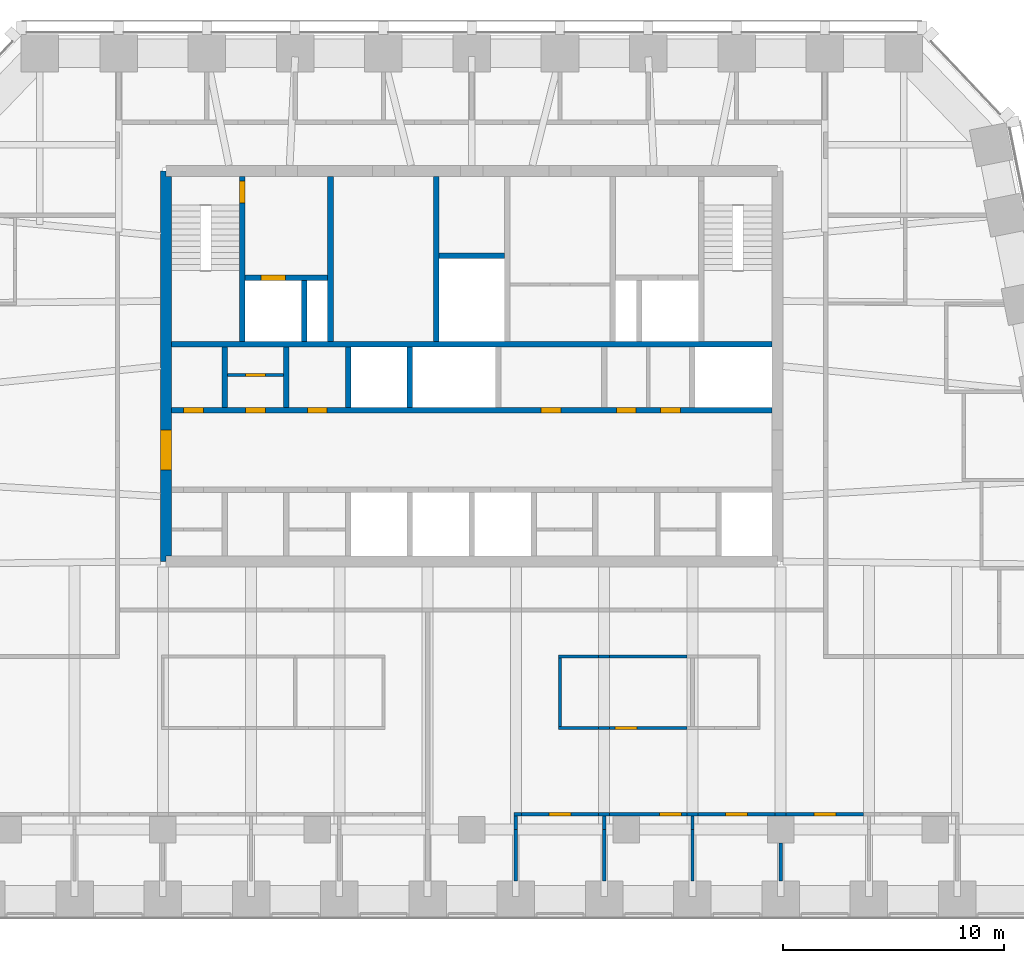
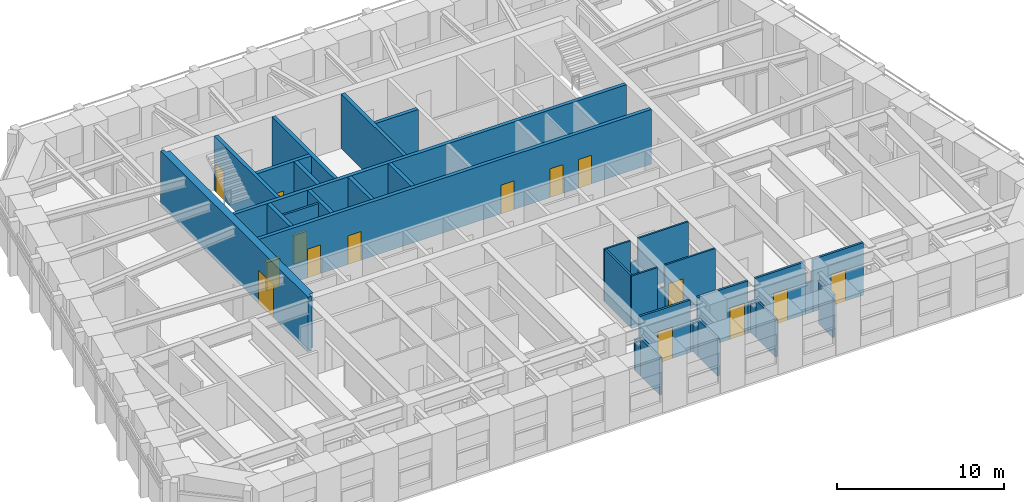
# One storey, part 7 of 13: 36 walls, 15 doors, 15 openings.
"""IFC4 building model written with IfcOpenShell, lengths in metres."""

from ifc_helpers import new_model, si_unit, direction, frame, frame_2d, origin, place, context, subcontext, project, spatial, polyline, rectangle, outline, extrude, material, layer, layer_set, type_object, element, fill, save


model = new_model("IFC4")

# Units and contexts
model_context = context("Model", 3, precision=1e-05, world=origin(), true_north=direction((0.0, 1.0)))
body_context = subcontext(model_context, "Body", "Model", "MODEL_VIEW")
ifc_project = project(units=[si_unit("LENGTHUNIT", "METRE"), si_unit("AREAUNIT", "SQUARE_METRE"), si_unit("VOLUMEUNIT", "CUBIC_METRE"), si_unit("PLANEANGLEUNIT", "RADIAN"), si_unit("MASSUNIT", "GRAM", prefix="KILO")], contexts=[model_context])

# Site, building, storey
site_placement = place(None, origin())
site = spatial("IfcSite", under=ifc_project, at=site_placement, CompositionType="ELEMENT")
building_placement = place(site_placement, origin())
building = spatial("IfcBuilding", under=site, at=building_placement, Name="Isbrekke Arena Tower", CompositionType="ELEMENT")
storey_placement = place(building_placement, frame((0.0, 0.0, 280.0)))
storey = spatial("IfcBuildingStorey", under=building, at=storey_placement, Name="L65", CompositionType="ELEMENT", Elevation=280.0)

# Wall, opening, door
ifc_material_1 = material(Name="Concrete B55 (C55/67)", Category="concrete")
ifc_layer_1 = layer(ifc_material_1, 0.5)
ifc_layer_set_1 = layer_set([ifc_layer_1], Name="CW5 CORE WALL 500")
wall_type_1 = type_object("IfcWallType", Name="CW5 CORE WALL 500", PredefinedType="SHEAR", material=ifc_layer_set_1)
wall_1_placement = place(storey_placement, frame((-13.85009765625, 23.85009765625, 0.0), z_axis=(0.0, 0.0, 1.0), x_axis=(0.0, -1.0, 0.0)))
wall_1 = element("IfcWall", 1, at=wall_1_placement, inside=storey, type_object=wall_type_1, Name="Core wall W L65", PredefinedType="SHEAR", context=body_context, shape_type="SweptSolid", body=[
    extrude(outline(polyline([(0.0, -0.25), (17.7001953125, -0.25), (17.7001953125, 0.0), (17.4501953125, 0.0), (17.4501953125, 0.25), (0.25, 0.25), (0.25, 0.0), (0.0, 0.0), (0.0, -0.25)])), origin(), (0.0, 0.0, 1.0), 4.0),
])
opening_1_placement = place(wall_1_placement, frame((11.75, 0.0, 0.0)))
opening_1 = element("IfcOpeningElement", 2, at=opening_1_placement, cuts=wall_1, Name="Opening D1", PredefinedType="OPENING", context=body_context, shape_type="SweptSolid", body=[
    extrude(rectangle(XDim=1.800048828125, YDim=2.39990234375, at=frame_2d((0.89990234375, 1.199951171875))), frame((0.0, 0.264892578125, 0.0), z_axis=(0.0, -1.0, 0.0), x_axis=(1.0, 0.0, 0.0)), (0.0, 0.0, 1.0), 0.52978515625),
])
ifc_material_2 = material(Name="Steel-framed glazed fire door", Category="steel")
door_type_1 = type_object("IfcDoorType", Name="D1 CORE LOBBY DOOR 1800 x 2400", OperationType="DOUBLE_DOOR_SINGLE_SWING", PredefinedType="DOOR", material=ifc_material_2)
door_1_placement = place(opening_1_placement, origin())
door_1 = element("IfcDoor", 3, at=door_1_placement, inside=storey, type_object=door_type_1, Name="D1 lift lobby door west L65", OperationType="DOUBLE_DOOR_SINGLE_SWING", OverallHeight=2.39990234375, OverallWidth=1.800048828125, PredefinedType="DOOR", context=body_context, shape_type="SweptSolid", body=[
    extrude(rectangle(XDim=1.800048828125, YDim=2.39990234375, at=frame_2d((0.89990234375, 1.199951171875))), frame((0.0, 0.249755859375, 0.0), z_axis=(0.0, -1.0, 0.0), x_axis=(1.0, 0.0, 0.0)), (0.0, 0.0, 1.0), 0.49951171875),
])
fill(opening_1, door_1)

# Wall, openings, doors
ifc_material_3 = material(Name="Concrete B45 (C45/55)", Category="concrete")
ifc_layer_2 = layer(ifc_material_3, 0.25)
ifc_layer_set_2 = layer_set([ifc_layer_2], Name="CW6 SHAFT WALL 250")
wall_type_2 = type_object("IfcWallType", Name="CW6 SHAFT WALL 250", PredefinedType="SHEAR", material=ifc_layer_set_2)
wall_2_placement = place(storey_placement, frame((-13.60009765625, 13.0, 0.0), z_axis=(0.0, 0.0, 1.0), x_axis=(1.0, 0.0, 0.0)))
wall_2 = element("IfcWall", 4, at=wall_2_placement, inside=storey, type_object=wall_type_2, Name="Core wall LN L65", PredefinedType="SHEAR", context=body_context, shape_type="SweptSolid", body=[
    extrude(rectangle(XDim=27.2001953125, YDim=0.25, at=frame_2d((13.60009765625, 0.0))), origin(), (0.0, 0.0, 1.0), 4.0),
])
opening_2_placement = place(wall_2_placement, frame((16.75, 0.0, 0.0)))
opening_2 = element("IfcOpeningElement", 5, at=opening_2_placement, cuts=wall_2, Name="Opening D5", PredefinedType="OPENING", context=body_context, shape_type="SweptSolid", body=[
    extrude(rectangle(XDim=0.89990234375, YDim=2.10009765625, at=frame_2d((0.449951171875, 1.050048828125))), frame((0.0, 0.139892578125, 0.0), z_axis=(0.0, -1.0, 0.0), x_axis=(1.0, 0.0, 0.0)), (0.0, 0.0, 1.0), 0.27978515625),
])
opening_3_placement = place(wall_2_placement, frame((20.14990234375, 0.0, 0.0)))
opening_3 = element("IfcOpeningElement", 6, at=opening_3_placement, cuts=wall_2, Name="Opening D5", PredefinedType="OPENING", context=body_context, shape_type="SweptSolid", body=[
    extrude(rectangle(XDim=0.89990234375, YDim=2.10009765625, at=frame_2d((0.449951171875, 1.050048828125))), frame((0.0, 0.139892578125, 0.0), z_axis=(0.0, -1.0, 0.0), x_axis=(1.0, 0.0, 0.0)), (0.0, 0.0, 1.0), 0.27978515625),
])
opening_4_placement = place(wall_2_placement, frame((22.14990234375, 0.0, 0.0)))
opening_4 = element("IfcOpeningElement", 7, at=opening_4_placement, cuts=wall_2, Name="Opening D5", PredefinedType="OPENING", context=body_context, shape_type="SweptSolid", body=[
    extrude(rectangle(XDim=0.89990234375, YDim=2.10009765625, at=frame_2d((0.449951171875, 1.050048828125))), frame((0.0, 0.139892578125, 0.0), z_axis=(0.0, -1.0, 0.0), x_axis=(1.0, 0.0, 0.0)), (0.0, 0.0, 1.0), 0.27978515625),
])
opening_5_placement = place(wall_2_placement, frame((0.550048828125, 0.0, 0.0)))
opening_5 = element("IfcOpeningElement", 8, at=opening_5_placement, cuts=wall_2, Name="Opening D5", PredefinedType="OPENING", context=body_context, shape_type="SweptSolid", body=[
    extrude(rectangle(XDim=0.89990234375, YDim=2.10009765625, at=frame_2d((0.449951171875, 1.050048828125))), frame((0.0, 0.139892578125, 0.0), z_axis=(0.0, -1.0, 0.0), x_axis=(1.0, 0.0, 0.0)), (0.0, 0.0, 1.0), 0.27978515625),
])
opening_6_placement = place(wall_2_placement, frame((3.35009765625, 0.0, 0.0)))
opening_6 = element("IfcOpeningElement", 9, at=opening_6_placement, cuts=wall_2, Name="Opening D5", PredefinedType="OPENING", context=body_context, shape_type="SweptSolid", body=[
    extrude(rectangle(XDim=0.89990234375, YDim=2.10009765625, at=frame_2d((0.449951171875, 1.050048828125))), frame((0.0, 0.139892578125, 0.0), z_axis=(0.0, -1.0, 0.0), x_axis=(1.0, 0.0, 0.0)), (0.0, 0.0, 1.0), 0.27978515625),
])
opening_7_placement = place(wall_2_placement, frame((6.14990234375, 0.0, 0.0)))
opening_7 = element("IfcOpeningElement", 10, at=opening_7_placement, cuts=wall_2, Name="Opening D5", PredefinedType="OPENING", context=body_context, shape_type="SweptSolid", body=[
    extrude(rectangle(XDim=0.89990234375, YDim=2.10009765625, at=frame_2d((0.449951171875, 1.050048828125))), frame((0.0, 0.139892578125, 0.0), z_axis=(0.0, -1.0, 0.0), x_axis=(1.0, 0.0, 0.0)), (0.0, 0.0, 1.0), 0.27978515625),
])
ifc_material_4 = material(Name="Steel fire door", Category="steel")
door_type_2 = type_object("IfcDoorType", Name="D5 SERVICE DOOR 900 x 2100", OperationType="SINGLE_SWING_LEFT", PredefinedType="DOOR", material=ifc_material_4)
door_2_placement = place(opening_2_placement, origin())
door_2 = element("IfcDoor", 11, at=door_2_placement, inside=storey, type_object=door_type_2, Name="D5 quiet room door L65", OperationType="SINGLE_SWING_LEFT", OverallHeight=2.10009765625, OverallWidth=0.89990234375, PredefinedType="DOOR", context=body_context, shape_type="SweptSolid", body=[
    extrude(rectangle(XDim=0.89990234375, YDim=2.10009765625, at=frame_2d((0.449951171875, 1.050048828125))), frame((0.0, 0.124755859375, 0.0), z_axis=(0.0, -1.0, 0.0), x_axis=(1.0, 0.0, 0.0)), (0.0, 0.0, 1.0), 0.24951171875),
])
fill(opening_2, door_2)
door_3_placement = place(opening_3_placement, origin())
door_3 = element("IfcDoor", 12, at=door_3_placement, inside=storey, type_object=door_type_2, Name="D5 communications room door L65", OperationType="SINGLE_SWING_LEFT", OverallHeight=2.10009765625, OverallWidth=0.89990234375, PredefinedType="DOOR", context=body_context, shape_type="SweptSolid", body=[
    extrude(rectangle(XDim=0.89990234375, YDim=2.10009765625, at=frame_2d((0.449951171875, 1.050048828125))), frame((0.0, 0.124755859375, 0.0), z_axis=(0.0, -1.0, 0.0), x_axis=(1.0, 0.0, 0.0)), (0.0, 0.0, 1.0), 0.24951171875),
])
fill(opening_3, door_3)
door_4_placement = place(opening_4_placement, origin())
door_4 = element("IfcDoor", 13, at=door_4_placement, inside=storey, type_object=door_type_2, Name="D5 cleaner's store door L65", OperationType="SINGLE_SWING_LEFT", OverallHeight=2.10009765625, OverallWidth=0.89990234375, PredefinedType="DOOR", context=body_context, shape_type="SweptSolid", body=[
    extrude(rectangle(XDim=0.89990234375, YDim=2.10009765625, at=frame_2d((0.449951171875, 1.050048828125))), frame((0.0, 0.124755859375, 0.0), z_axis=(0.0, -1.0, 0.0), x_axis=(1.0, 0.0, 0.0)), (0.0, 0.0, 1.0), 0.24951171875),
])
fill(opening_4, door_4)
door_5_placement = place(opening_5_placement, origin())
door_5 = element("IfcDoor", 14, at=door_5_placement, inside=storey, type_object=door_type_2, Name="D5 print room door L65", OperationType="SINGLE_SWING_LEFT", OverallHeight=2.10009765625, OverallWidth=0.89990234375, PredefinedType="DOOR", context=body_context, shape_type="SweptSolid", body=[
    extrude(rectangle(XDim=0.89990234375, YDim=2.10009765625, at=frame_2d((0.449951171875, 1.050048828125))), frame((0.0, 0.124755859375, 0.0), z_axis=(0.0, -1.0, 0.0), x_axis=(1.0, 0.0, 0.0)), (0.0, 0.0, 1.0), 0.24951171875),
])
fill(opening_5, door_5)
door_6_placement = place(opening_6_placement, origin())
door_6 = element("IfcDoor", 15, at=door_6_placement, inside=storey, type_object=door_type_2, Name="D5 print room door L65", OperationType="SINGLE_SWING_LEFT", OverallHeight=2.10009765625, OverallWidth=0.89990234375, PredefinedType="DOOR", context=body_context, shape_type="SweptSolid", body=[
    extrude(rectangle(XDim=0.89990234375, YDim=2.10009765625, at=frame_2d((0.449951171875, 1.050048828125))), frame((0.0, 0.124755859375, 0.0), z_axis=(0.0, -1.0, 0.0), x_axis=(1.0, 0.0, 0.0)), (0.0, 0.0, 1.0), 0.24951171875),
])
fill(opening_6, door_6)
door_7_placement = place(opening_7_placement, origin())
door_7 = element("IfcDoor", 16, at=door_7_placement, inside=storey, type_object=door_type_2, Name="D5 tenant store door L65", OperationType="SINGLE_SWING_LEFT", OverallHeight=2.10009765625, OverallWidth=0.89990234375, PredefinedType="DOOR", context=body_context, shape_type="SweptSolid", body=[
    extrude(rectangle(XDim=0.89990234375, YDim=2.10009765625, at=frame_2d((0.449951171875, 1.050048828125))), frame((0.0, 0.124755859375, 0.0), z_axis=(0.0, -1.0, 0.0), x_axis=(1.0, 0.0, 0.0)), (0.0, 0.0, 1.0), 0.24951171875),
])
fill(opening_7, door_7)

# Walls
wall_3_placement = place(storey_placement, frame((-13.60009765625, 16.0, 0.0), z_axis=(0.0, 0.0, 1.0), x_axis=(1.0, 0.0, 0.0)))
element("IfcWall", 17, at=wall_3_placement, inside=storey, type_object=wall_type_2, Name="Core wall NB L65", PredefinedType="SHEAR", context=body_context, shape_type="SweptSolid", body=[
    extrude(rectangle(XDim=27.2001953125, YDim=0.25, at=frame_2d((13.60009765625, 0.0))), origin(), (0.0, 0.0, 1.0), 4.0),
])
for number, where, z_axis, x_axis, name in (
    (18, (-11.199951171875, 13.125, 0.0), (0.0, 0.0, 1.0), (0.0, 1.0, 0.0), "Core wall SN01 L65"),
    (19, (-8.39990234375, 13.125, 0.0), (0.0, 0.0, 1.0), (0.0, 1.0, 0.0), "Core wall SN02 L65"),
    (20, (-5.60009765625, 13.125, 0.0), (0.0, 0.0, 1.0), (0.0, 1.0, 0.0), "Core wall SN03 L65"),
    (21, (-2.800048828125, 13.125, 0.0), (0.0, 0.0, 1.0), (0.0, 1.0, 0.0), "Core wall SN04 L65"),
):
    element("IfcWall", number, at=place(storey_placement, frame(where, z_axis=z_axis, x_axis=x_axis)), inside=storey, type_object=wall_type_2, Name=name, PredefinedType="SHEAR", context=body_context, shape_type="SweptSolid", body=[
        extrude(rectangle(XDim=2.75, YDim=0.25, at=frame_2d((1.375, 0.0))), origin(), (0.0, 0.0, 1.0), 4.0),
    ])

# Wall, opening, door
wall_4_placement = place(storey_placement, frame((-10.39990234375, 16.125, 0.0), z_axis=(0.0, 0.0, 1.0), x_axis=(0.0, 1.0, 0.0)))
wall_4 = element("IfcWall", 22, at=wall_4_placement, inside=storey, type_object=wall_type_2, Name="Core wall NV01 L65", PredefinedType="SHEAR", context=body_context, shape_type="SweptSolid", body=[
    extrude(rectangle(XDim=7.47509765625, YDim=0.25, at=frame_2d((3.737548828125, 0.0))), origin(), (0.0, 0.0, 1.0), 4.0),
])
opening_8_placement = place(wall_4_placement, frame((6.27490234375, 0.0, 0.0)))
opening_8 = element("IfcOpeningElement", 23, at=opening_8_placement, cuts=wall_4, Name="Opening D2", PredefinedType="OPENING", context=body_context, shape_type="SweptSolid", body=[
    extrude(rectangle(XDim=1.0, YDim=2.10009765625, at=frame_2d((0.5, 1.050048828125))), frame((0.0, 0.139892578125, 0.0), z_axis=(0.0, -1.0, 0.0), x_axis=(1.0, 0.0, 0.0)), (0.0, 0.0, 1.0), 0.27978515625),
])
ifc_material_5 = material(Name="Steel fire door", Category="steel")
door_type_3 = type_object("IfcDoorType", Name="D2 STAIR DOOR 1000 x 2100", OperationType="SINGLE_SWING_LEFT", PredefinedType="DOOR", material=ifc_material_5)
door_8_placement = place(opening_8_placement, origin())
door_8 = element("IfcDoor", 24, at=door_8_placement, inside=storey, type_object=door_type_3, Name="D2 stair door ST1 L65", OperationType="SINGLE_SWING_LEFT", OverallHeight=2.10009765625, OverallWidth=1.0, PredefinedType="DOOR", context=body_context, shape_type="SweptSolid", body=[
    extrude(rectangle(XDim=1.0, YDim=2.10009765625, at=frame_2d((0.5, 1.050048828125))), frame((0.0, 0.124755859375, 0.0), z_axis=(0.0, -1.0, 0.0), x_axis=(1.0, 0.0, 0.0)), (0.0, 0.0, 1.0), 0.24951171875),
])
fill(opening_8, door_8)

# Walls
for number, where, z_axis, x_axis, name in (
    (25, (-6.39990234375, 16.125, 0.0), (0.0, 0.0, 1.0), (0.0, 1.0, 0.0), "Core wall NV02 L65"),
    (26, (-1.60009765625, 16.125, 0.0), (0.0, 0.0, 1.0), (0.0, 1.0, 0.0), "Core wall NV03 L65"),
):
    element("IfcWall", number, at=place(storey_placement, frame(where, z_axis=z_axis, x_axis=x_axis)), inside=storey, type_object=wall_type_2, Name=name, PredefinedType="SHEAR", context=body_context, shape_type="SweptSolid", body=[
        extrude(rectangle(XDim=7.47509765625, YDim=0.25, at=frame_2d((3.737548828125, 0.0))), origin(), (0.0, 0.0, 1.0), 4.0),
    ])

# Wall, opening, door
wall_5_placement = place(storey_placement, frame((-10.27490234375, 19.0, 0.0), z_axis=(0.0, 0.0, 1.0), x_axis=(1.0, 0.0, 0.0)))
wall_5 = element("IfcWall", 27, at=wall_5_placement, inside=storey, type_object=wall_type_2, Name="Core wall NFW L65", PredefinedType="SHEAR", context=body_context, shape_type="SweptSolid", body=[
    extrude(rectangle(XDim=3.75, YDim=0.25, at=frame_2d((1.875, 0.0))), origin(), (0.0, 0.0, 1.0), 4.0),
])
opening_9_placement = place(wall_5_placement, frame((0.72509765625, 0.0, 0.0)))
opening_9 = element("IfcOpeningElement", 28, at=opening_9_placement, cuts=wall_5, Name="Opening LD2", PredefinedType="OPENING", context=body_context, shape_type="SweptSolid", body=[
    extrude(rectangle(XDim=1.10009765625, YDim=2.10009765625, at=frame_2d((0.550048828125, 1.050048828125))), frame((0.0, 0.139892578125, 0.0), z_axis=(0.0, -1.0, 0.0), x_axis=(1.0, 0.0, 0.0)), (0.0, 0.0, 1.0), 0.27978515625),
])
ifc_material_6 = material(Name="Stainless steel lift landing door", Category="steel")
door_type_4 = type_object("IfcDoorType", Name="LD2 FIRE-FIGHTING LIFT LANDING DOOR 1100 x 2100", OperationType="SLIDING_TO_RIGHT", PredefinedType="DOOR", material=ifc_material_6)
door_9_placement = place(opening_9_placement, origin())
door_9 = element("IfcDoor", 29, at=door_9_placement, inside=storey, type_object=door_type_4, Name="LD2 lift landing door LF L65", OperationType="SLIDING_TO_RIGHT", OverallHeight=2.10009765625, OverallWidth=1.10009765625, PredefinedType="DOOR", context=body_context, shape_type="SweptSolid", body=[
    extrude(rectangle(XDim=1.10009765625, YDim=2.10009765625, at=frame_2d((0.550048828125, 1.050048828125))), frame((0.0, 0.124755859375, 0.0), z_axis=(0.0, -1.0, 0.0), x_axis=(1.0, 0.0, 0.0)), (0.0, 0.0, 1.0), 0.24951171875),
])
fill(opening_9, door_9)

# Walls
wall_6_placement = place(storey_placement, frame((-7.60009765625, 16.125, 0.0), z_axis=(0.0, 0.0, 1.0), x_axis=(0.0, 1.0, 0.0)))
element("IfcWall", 30, at=wall_6_placement, inside=storey, type_object=wall_type_2, Name="Core wall NFS1 L65", PredefinedType="SHEAR", context=body_context, shape_type="SweptSolid", body=[
    extrude(rectangle(XDim=2.75, YDim=0.25, at=frame_2d((1.375, 0.0))), origin(), (0.0, 0.0, 1.0), 4.0),
])
wall_7_placement = place(storey_placement, frame((-1.47509765625, 20.0, 0.0), z_axis=(0.0, 0.0, 1.0), x_axis=(1.0, 0.0, 0.0)))
element("IfcWall", 31, at=wall_7_placement, inside=storey, type_object=wall_type_2, Name="Core wall NWC L65", PredefinedType="SHEAR", context=body_context, shape_type="SweptSolid", body=[
    extrude(rectangle(XDim=2.9501953125, YDim=0.25, at=frame_2d((1.47509765625, 0.0))), origin(), (0.0, 0.0, 1.0), 4.0),
])
ifc_material_7 = material(Name="Gypsum board partition on steel studs", Category="steel")
ifc_layer_3 = layer(ifc_material_7, 0.14990234375)
ifc_layer_set_3 = layer_set([ifc_layer_3], Name="IW1 PARTITION 150")
wall_type_3 = type_object("IfcWallType", Name="IW1 PARTITION 150", PredefinedType="PARTITIONING", material=ifc_layer_set_3)
wall_8_placement = place(storey_placement, frame((1.925048828125, -5.300048828125, 0.0), z_axis=(0.0, 0.0, 1.0), x_axis=(1.0, 0.0, 0.0)))
element("IfcWall", 32, at=wall_8_placement, inside=storey, type_object=wall_type_3, Name="IW1 partition 150 L65", PredefinedType="PARTITIONING", context=body_context, shape_type="SweptSolid", body=[
    extrude(rectangle(XDim=0.324951171875, YDim=0.14990234375, at=frame_2d((0.16259765625, 0.0))), origin(), (0.0, 0.0, 1.0), 2.25),
])

# Wall, opening, door
wall_9_placement = place(storey_placement, frame((2.25, -5.300048828125, 0.0), z_axis=(0.0, 0.0, 1.0), x_axis=(1.0, 0.0, 0.0)))
wall_9 = element("IfcWall", 33, at=wall_9_placement, inside=storey, type_object=wall_type_3, Name="IW1 partition 150 L65", PredefinedType="PARTITIONING", context=body_context, shape_type="SweptSolid", body=[
    extrude(rectangle(XDim=3.5, YDim=0.14990234375, at=frame_2d((1.75, 0.0))), origin(), (0.0, 0.0, 1.0), 3.85009765625),
])
opening_10_placement = place(wall_9_placement, frame((1.25, 0.0, 0.0)))
opening_10 = element("IfcOpeningElement", 34, at=opening_10_placement, cuts=wall_9, Name="Opening D10", PredefinedType="OPENING", context=body_context, shape_type="SweptSolid", body=[
    extrude(rectangle(XDim=1.0, YDim=2.300048828125, at=frame_2d((0.5, 1.14990234375))), frame((0.0, 0.08984375, 0.0), z_axis=(0.0, -1.0, 0.0), x_axis=(1.0, 0.0, 0.0)), (0.0, 0.0, 1.0), 0.1796875),
])
ifc_material_8 = material(Name="Timber door", Category="wood")
door_type_5 = type_object("IfcDoorType", Name="D10 OFFICE DOOR 1000 x 2300", OperationType="SINGLE_SWING_LEFT", PredefinedType="DOOR", material=ifc_material_8)
door_10_placement = place(opening_10_placement, origin())
door_10 = element("IfcDoor", 35, at=door_10_placement, inside=storey, type_object=door_type_5, Name="D10 office door L65", OperationType="SINGLE_SWING_LEFT", OverallHeight=2.300048828125, OverallWidth=1.0, PredefinedType="DOOR", context=body_context, shape_type="SweptSolid", body=[
    extrude(rectangle(XDim=1.0, YDim=2.300048828125, at=frame_2d((0.5, 1.14990234375))), frame((0.0, 0.07470703125, 0.0), z_axis=(0.0, -1.0, 0.0), x_axis=(1.0, 0.0, 0.0)), (0.0, 0.0, 1.0), 0.1494140625),
])
fill(opening_10, door_10)

# Wall
wall_10_placement = place(storey_placement, frame((5.75, -5.300048828125, 0.0), z_axis=(0.0, 0.0, 1.0), x_axis=(1.0, 0.0, 0.0)))
element("IfcWall", 36, at=wall_10_placement, inside=storey, type_object=wall_type_3, Name="IW1 partition 150 L65", PredefinedType="PARTITIONING", context=body_context, shape_type="SweptSolid", body=[
    extrude(rectangle(XDim=0.5, YDim=0.14990234375, at=frame_2d((0.25, 0.0))), origin(), (0.0, 0.0, 1.0), 2.25),
])

# Wall, opening, door
wall_11_placement = place(storey_placement, frame((6.25, -5.300048828125, 0.0), z_axis=(0.0, 0.0, 1.0), x_axis=(1.0, 0.0, 0.0)))
wall_11 = element("IfcWall", 37, at=wall_11_placement, inside=storey, type_object=wall_type_3, Name="IW1 partition 150 L65", PredefinedType="PARTITIONING", context=body_context, shape_type="SweptSolid", body=[
    extrude(rectangle(XDim=3.5, YDim=0.14990234375, at=frame_2d((1.75, 0.0))), origin(), (0.0, 0.0, 1.0), 3.85009765625),
])
opening_11_placement = place(wall_11_placement, frame((2.25, 0.0, 0.0)))
opening_11 = element("IfcOpeningElement", 38, at=opening_11_placement, cuts=wall_11, Name="Opening D10", PredefinedType="OPENING", context=body_context, shape_type="SweptSolid", body=[
    extrude(rectangle(XDim=1.0, YDim=2.300048828125, at=frame_2d((0.5, 1.14990234375))), frame((0.0, 0.08984375, 0.0), z_axis=(0.0, -1.0, 0.0), x_axis=(1.0, 0.0, 0.0)), (0.0, 0.0, 1.0), 0.1796875),
])
door_11_placement = place(opening_11_placement, origin())
door_11 = element("IfcDoor", 39, at=door_11_placement, inside=storey, type_object=door_type_5, Name="D10 office door L65", OperationType="SINGLE_SWING_LEFT", OverallHeight=2.300048828125, OverallWidth=1.0, PredefinedType="DOOR", context=body_context, shape_type="SweptSolid", body=[
    extrude(rectangle(XDim=1.0, YDim=2.300048828125, at=frame_2d((0.5, 1.14990234375))), frame((0.0, 0.07470703125, 0.0), z_axis=(0.0, -1.0, 0.0), x_axis=(1.0, 0.0, 0.0)), (0.0, 0.0, 1.0), 0.1494140625),
])
fill(opening_11, door_11)

# Wall
wall_12_placement = place(storey_placement, frame((9.75, -5.300048828125, 0.0), z_axis=(0.0, 0.0, 1.0), x_axis=(1.0, 0.0, 0.0)))
element("IfcWall", 40, at=wall_12_placement, inside=storey, type_object=wall_type_3, Name="IW1 partition 150 L65", PredefinedType="PARTITIONING", context=body_context, shape_type="SweptSolid", body=[
    extrude(rectangle(XDim=0.5, YDim=0.14990234375, at=frame_2d((0.25, 0.0))), origin(), (0.0, 0.0, 1.0), 2.25),
])

# Wall, opening, door
wall_13_placement = place(storey_placement, frame((10.25, -5.300048828125, 0.0), z_axis=(0.0, 0.0, 1.0), x_axis=(1.0, 0.0, 0.0)))
wall_13 = element("IfcWall", 41, at=wall_13_placement, inside=storey, type_object=wall_type_3, Name="IW1 partition 150 L65", PredefinedType="PARTITIONING", context=body_context, shape_type="SweptSolid", body=[
    extrude(rectangle(XDim=3.5, YDim=0.14990234375, at=frame_2d((1.75, 0.0))), origin(), (0.0, 0.0, 1.0), 3.85009765625),
])
opening_12_placement = place(wall_13_placement, frame((1.25, 0.0, 0.0)))
opening_12 = element("IfcOpeningElement", 42, at=opening_12_placement, cuts=wall_13, Name="Opening D10", PredefinedType="OPENING", context=body_context, shape_type="SweptSolid", body=[
    extrude(rectangle(XDim=1.0, YDim=2.300048828125, at=frame_2d((0.5, 1.14990234375))), frame((0.0, 0.08984375, 0.0), z_axis=(0.0, -1.0, 0.0), x_axis=(1.0, 0.0, 0.0)), (0.0, 0.0, 1.0), 0.1796875),
])
door_12_placement = place(opening_12_placement, origin())
door_12 = element("IfcDoor", 43, at=door_12_placement, inside=storey, type_object=door_type_5, Name="D10 office door L65", OperationType="SINGLE_SWING_LEFT", OverallHeight=2.300048828125, OverallWidth=1.0, PredefinedType="DOOR", context=body_context, shape_type="SweptSolid", body=[
    extrude(rectangle(XDim=1.0, YDim=2.300048828125, at=frame_2d((0.5, 1.14990234375))), frame((0.0, 0.07470703125, 0.0), z_axis=(0.0, -1.0, 0.0), x_axis=(1.0, 0.0, 0.0)), (0.0, 0.0, 1.0), 0.1494140625),
])
fill(opening_12, door_12)

# Wall
wall_14_placement = place(storey_placement, frame((13.75, -5.300048828125, 0.0), z_axis=(0.0, 0.0, 1.0), x_axis=(1.0, 0.0, 0.0)))
element("IfcWall", 44, at=wall_14_placement, inside=storey, type_object=wall_type_3, Name="IW1 partition 150 L65", PredefinedType="PARTITIONING", context=body_context, shape_type="SweptSolid", body=[
    extrude(rectangle(XDim=0.5, YDim=0.14990234375, at=frame_2d((0.25, 0.0))), origin(), (0.0, 0.0, 1.0), 2.25),
])

# Wall, opening, door
wall_15_placement = place(storey_placement, frame((14.25, -5.300048828125, 0.0), z_axis=(0.0, 0.0, 1.0), x_axis=(1.0, 0.0, 0.0)))
wall_15 = element("IfcWall", 45, at=wall_15_placement, inside=storey, type_object=wall_type_3, Name="IW1 partition 150 L65", PredefinedType="PARTITIONING", context=body_context, shape_type="SweptSolid", body=[
    extrude(rectangle(XDim=3.5, YDim=0.14990234375, at=frame_2d((1.75, 0.0))), origin(), (0.0, 0.0, 1.0), 3.85009765625),
])
opening_13_placement = place(wall_15_placement, frame((1.25, 0.0, 0.0)))
opening_13 = element("IfcOpeningElement", 46, at=opening_13_placement, cuts=wall_15, Name="Opening D10", PredefinedType="OPENING", context=body_context, shape_type="SweptSolid", body=[
    extrude(rectangle(XDim=1.0, YDim=2.300048828125, at=frame_2d((0.5, 1.14990234375))), frame((0.0, 0.08984375, 0.0), z_axis=(0.0, -1.0, 0.0), x_axis=(1.0, 0.0, 0.0)), (0.0, 0.0, 1.0), 0.1796875),
])
door_13_placement = place(opening_13_placement, origin())
door_13 = element("IfcDoor", 47, at=door_13_placement, inside=storey, type_object=door_type_5, Name="D10 office door L65", OperationType="SINGLE_SWING_LEFT", OverallHeight=2.300048828125, OverallWidth=1.0, PredefinedType="DOOR", context=body_context, shape_type="SweptSolid", body=[
    extrude(rectangle(XDim=1.0, YDim=2.300048828125, at=frame_2d((0.5, 1.14990234375))), frame((0.0, 0.07470703125, 0.0), z_axis=(0.0, -1.0, 0.0), x_axis=(1.0, 0.0, 0.0)), (0.0, 0.0, 1.0), 0.1494140625),
])
fill(opening_13, door_13)

# Walls
wall_16_placement = place(storey_placement, frame((2.0, -8.324951171875, 0.0), z_axis=(0.0, 0.0, 1.0), x_axis=(0.0, 1.0, 0.0)))
element("IfcWall", 48, at=wall_16_placement, inside=storey, type_object=wall_type_3, Name="IW1 partition 150 L65", PredefinedType="PARTITIONING", context=body_context, shape_type="SweptSolid", body=[
    extrude(rectangle(XDim=2.324951171875, YDim=0.14990234375, at=frame_2d((1.16259765625, 0.0))), origin(), (0.0, 0.0, 1.0), 2.75),
])
wall_17_placement = place(storey_placement, frame((2.0, -6.0, 0.0), z_axis=(0.0, 0.0, 1.0), x_axis=(0.0, 1.0, 0.0)))
element("IfcWall", 49, at=wall_17_placement, inside=storey, type_object=wall_type_3, Name="IW1 partition 150 L65", PredefinedType="PARTITIONING", context=body_context, shape_type="SweptSolid", body=[
    extrude(rectangle(XDim=0.625, YDim=0.14990234375, at=frame_2d((0.3125, 0.0))), origin(), (0.0, 0.0, 1.0), 2.25),
])
wall_18_placement = place(storey_placement, frame((6.0, -8.324951171875, 0.0), z_axis=(0.0, 0.0, 1.0), x_axis=(0.0, 1.0, 0.0)))
element("IfcWall", 50, at=wall_18_placement, inside=storey, type_object=wall_type_3, Name="IW1 partition 150 L65", PredefinedType="PARTITIONING", context=body_context, shape_type="SweptSolid", body=[
    extrude(rectangle(XDim=2.324951171875, YDim=0.14990234375, at=frame_2d((1.16259765625, 0.0))), origin(), (0.0, 0.0, 1.0), 2.75),
])
wall_19_placement = place(storey_placement, frame((6.0, -6.0, 0.0), z_axis=(0.0, 0.0, 1.0), x_axis=(0.0, 1.0, 0.0)))
element("IfcWall", 51, at=wall_19_placement, inside=storey, type_object=wall_type_3, Name="IW1 partition 150 L65", PredefinedType="PARTITIONING", context=body_context, shape_type="SweptSolid", body=[
    extrude(rectangle(XDim=0.625, YDim=0.14990234375, at=frame_2d((0.3125, 0.0))), origin(), (0.0, 0.0, 1.0), 2.25),
])
wall_20_placement = place(storey_placement, frame((10.0, -8.324951171875, 0.0), z_axis=(0.0, 0.0, 1.0), x_axis=(0.0, 1.0, 0.0)))
element("IfcWall", 52, at=wall_20_placement, inside=storey, type_object=wall_type_3, Name="IW1 partition 150 L65", PredefinedType="PARTITIONING", context=body_context, shape_type="SweptSolid", body=[
    extrude(rectangle(XDim=2.324951171875, YDim=0.14990234375, at=frame_2d((1.16259765625, 0.0))), origin(), (0.0, 0.0, 1.0), 2.75),
])
wall_21_placement = place(storey_placement, frame((10.0, -6.0, 0.0), z_axis=(0.0, 0.0, 1.0), x_axis=(0.0, 1.0, 0.0)))
element("IfcWall", 53, at=wall_21_placement, inside=storey, type_object=wall_type_3, Name="IW1 partition 150 L65", PredefinedType="PARTITIONING", context=body_context, shape_type="SweptSolid", body=[
    extrude(rectangle(XDim=0.625, YDim=0.14990234375, at=frame_2d((0.3125, 0.0))), origin(), (0.0, 0.0, 1.0), 2.25),
])
wall_22_placement = place(storey_placement, frame((14.0, -8.324951171875, 0.0), z_axis=(0.0, 0.0, 1.0), x_axis=(0.0, 1.0, 0.0)))
element("IfcWall", 54, at=wall_22_placement, inside=storey, type_object=wall_type_3, Name="IW1 partition 150 L65", PredefinedType="PARTITIONING", context=body_context, shape_type="SweptSolid", body=[
    extrude(rectangle(XDim=1.724853515625, YDim=0.14990234375, at=frame_2d((0.8623046875, 0.0))), origin(), (0.0, 0.0, 1.0), 3.1298828125),
])
ifc_material_9 = material(Name="Frameless glazed partition, laminated acoustic glass", Category="glass")
ifc_layer_4 = layer(ifc_material_9, 0.1201171875)
ifc_layer_set_4 = layer_set([ifc_layer_4], Name="IW2 GLAZED PARTITION 120")
wall_type_4 = type_object("IfcWallType", Name="IW2 GLAZED PARTITION 120", PredefinedType="PARTITIONING", material=ifc_layer_set_4)
wall_23_placement = place(storey_placement, frame((3.93994140625, -1.39990234375, 0.0), z_axis=(0.0, 0.0, 1.0), x_axis=(1.0, 0.0, 0.0)))
element("IfcWall", 55, at=wall_23_placement, inside=storey, type_object=wall_type_4, Name="IW2 glazed partition 120 L65", PredefinedType="PARTITIONING", context=body_context, shape_type="SweptSolid", body=[
    extrude(rectangle(XDim=1.81005859375, YDim=0.1201171875, at=frame_2d((0.905029296875, 0.0))), origin(), (0.0, 0.0, 1.0), 3.85009765625),
])
wall_24_placement = place(storey_placement, frame((5.75, -1.39990234375, 0.0), z_axis=(0.0, 0.0, 1.0), x_axis=(1.0, 0.0, 0.0)))
element("IfcWall", 56, at=wall_24_placement, inside=storey, type_object=wall_type_4, Name="IW2 glazed partition 120 L65", PredefinedType="PARTITIONING", context=body_context, shape_type="SweptSolid", body=[
    extrude(rectangle(XDim=0.5, YDim=0.1201171875, at=frame_2d((0.25, 0.0))), origin(), (0.0, 0.0, 1.0), 2.25),
])

# Wall, opening, door
wall_25_placement = place(storey_placement, frame((6.25, -1.39990234375, 0.0), z_axis=(0.0, 0.0, 1.0), x_axis=(1.0, 0.0, 0.0)))
wall_25 = element("IfcWall", 57, at=wall_25_placement, inside=storey, type_object=wall_type_4, Name="IW2 glazed partition 120 L65", PredefinedType="PARTITIONING", context=body_context, shape_type="SweptSolid", body=[
    extrude(rectangle(XDim=3.5, YDim=0.1201171875, at=frame_2d((1.75, 0.0))), origin(), (0.0, 0.0, 1.0), 3.85009765625),
])
opening_14_placement = place(wall_25_placement, frame((0.25, 0.0, 0.0)))
opening_14 = element("IfcOpeningElement", 58, at=opening_14_placement, cuts=wall_25, Name="Opening D11", PredefinedType="OPENING", context=body_context, shape_type="SweptSolid", body=[
    extrude(rectangle(XDim=1.0, YDim=2.39990234375, at=frame_2d((0.5, 1.199951171875))), frame((0.0, 0.074951171875, 0.0), z_axis=(0.0, -1.0, 0.0), x_axis=(1.0, 0.0, 0.0)), (0.0, 0.0, 1.0), 0.14990234375),
])
ifc_material_10 = material(Name="Frameless glazed door", Category="glass")
door_type_6 = type_object("IfcDoorType", Name="D11 GLAZED MEETING ROOM DOOR 1000 x 2400", OperationType="SINGLE_SWING_RIGHT", PredefinedType="DOOR", material=ifc_material_10)
door_14_placement = place(opening_14_placement, origin())
door_14 = element("IfcDoor", 59, at=door_14_placement, inside=storey, type_object=door_type_6, Name="D11 meeting room door L65", OperationType="SINGLE_SWING_RIGHT", OverallHeight=2.39990234375, OverallWidth=1.0, PredefinedType="DOOR", context=body_context, shape_type="SweptSolid", body=[
    extrude(rectangle(XDim=1.0, YDim=2.39990234375, at=frame_2d((0.5, 1.199951171875))), frame((0.0, 0.059814453125, 0.0), z_axis=(0.0, -1.0, 0.0), x_axis=(1.0, 0.0, 0.0)), (0.0, 0.0, 1.0), 0.11962890625),
])
fill(opening_14, door_14)

# Walls
wall_26_placement = place(storey_placement, frame((3.93994140625, 1.840087890625, 0.0), z_axis=(0.0, 0.0, 1.0), x_axis=(1.0, 0.0, 0.0)))
element("IfcWall", 60, at=wall_26_placement, inside=storey, type_object=wall_type_4, Name="IW2 glazed partition 120 L65", PredefinedType="PARTITIONING", context=body_context, shape_type="SweptSolid", body=[
    extrude(rectangle(XDim=1.81005859375, YDim=0.1201171875, at=frame_2d((0.905029296875, 0.0))), origin(), (0.0, 0.0, 1.0), 3.85009765625),
])
wall_27_placement = place(storey_placement, frame((5.75, 1.840087890625, 0.0), z_axis=(0.0, 0.0, 1.0), x_axis=(1.0, 0.0, 0.0)))
element("IfcWall", 61, at=wall_27_placement, inside=storey, type_object=wall_type_4, Name="IW2 glazed partition 120 L65", PredefinedType="PARTITIONING", context=body_context, shape_type="SweptSolid", body=[
    extrude(rectangle(XDim=0.5, YDim=0.1201171875, at=frame_2d((0.25, 0.0))), origin(), (0.0, 0.0, 1.0), 2.25),
])
wall_28_placement = place(storey_placement, frame((6.25, 1.840087890625, 0.0), z_axis=(0.0, 0.0, 1.0), x_axis=(1.0, 0.0, 0.0)))
element("IfcWall", 62, at=wall_28_placement, inside=storey, type_object=wall_type_4, Name="IW2 glazed partition 120 L65", PredefinedType="PARTITIONING", context=body_context, shape_type="SweptSolid", body=[
    extrude(rectangle(XDim=3.5, YDim=0.1201171875, at=frame_2d((1.75, 0.0))), origin(), (0.0, 0.0, 1.0), 3.85009765625),
])
wall_29_placement = place(storey_placement, frame((4.0, -1.340087890625, 0.0), z_axis=(0.0, 0.0, 1.0), x_axis=(0.0, 1.0, 0.0)))
element("IfcWall", 63, at=wall_29_placement, inside=storey, type_object=wall_type_4, Name="IW2 glazed partition 120 L65", PredefinedType="PARTITIONING", context=body_context, shape_type="SweptSolid", body=[
    extrude(rectangle(XDim=3.1201171875, YDim=0.1201171875, at=frame_2d((1.56005859375, 0.0))), origin(), (0.0, 0.0, 1.0), 3.85009765625),
])

# Wall, opening, door
ifc_material_11 = material(Name="Gypsum board fire-rated partition on steel studs, two layers each side", Category="steel")
ifc_layer_5 = layer(ifc_material_11, 0.14990234375)
ifc_layer_set_5 = layer_set([ifc_layer_5], Name="IW5 FIRE-RATED PARTITION 150")
wall_type_5 = type_object("IfcWallType", Name="IW5 FIRE-RATED PARTITION 150", PredefinedType="PARTITIONING", material=ifc_layer_set_5)
wall_30_placement = place(storey_placement, frame((-11.074951171875, 14.60009765625, 0.0), z_axis=(0.0, 0.0, 1.0), x_axis=(1.0, 0.0, 0.0)))
wall_30 = element("IfcWall", 64, at=wall_30_placement, inside=storey, type_object=wall_type_5, Name="IW5 fire-rated partition L65 core service rooms 2", PredefinedType="PARTITIONING", context=body_context, shape_type="SweptSolid", body=[
    extrude(rectangle(XDim=2.550048828125, YDim=0.14990234375, at=frame_2d((1.27490234375, 0.0))), origin(), (0.0, 0.0, 1.0), 3.85009765625),
])
opening_15_placement = place(wall_30_placement, frame((0.824951171875, 0.0, 0.0)))
opening_15 = element("IfcOpeningElement", 65, at=opening_15_placement, cuts=wall_30, Name="Opening D5", PredefinedType="OPENING", context=body_context, shape_type="SweptSolid", body=[
    extrude(rectangle(XDim=0.89990234375, YDim=2.10009765625, at=frame_2d((0.449951171875, 1.050048828125))), frame((0.0, 0.08984375, 0.0), z_axis=(0.0, -1.0, 0.0), x_axis=(1.0, 0.0, 0.0)), (0.0, 0.0, 1.0), 0.1796875),
])
door_15_placement = place(opening_15_placement, origin())
door_15 = element("IfcDoor", 66, at=door_15_placement, inside=storey, type_object=door_type_2, Name="D5 store door L65", OperationType="SINGLE_SWING_LEFT", OverallHeight=2.10009765625, OverallWidth=0.89990234375, PredefinedType="DOOR", context=body_context, shape_type="SweptSolid", body=[
    extrude(rectangle(XDim=0.89990234375, YDim=2.10009765625, at=frame_2d((0.449951171875, 1.050048828125))), frame((0.0, 0.07470703125, 0.0), z_axis=(0.0, -1.0, 0.0), x_axis=(1.0, 0.0, 0.0)), (0.0, 0.0, 1.0), 0.1494140625),
])
fill(opening_15, door_15)

save(model, "model.ifc")
